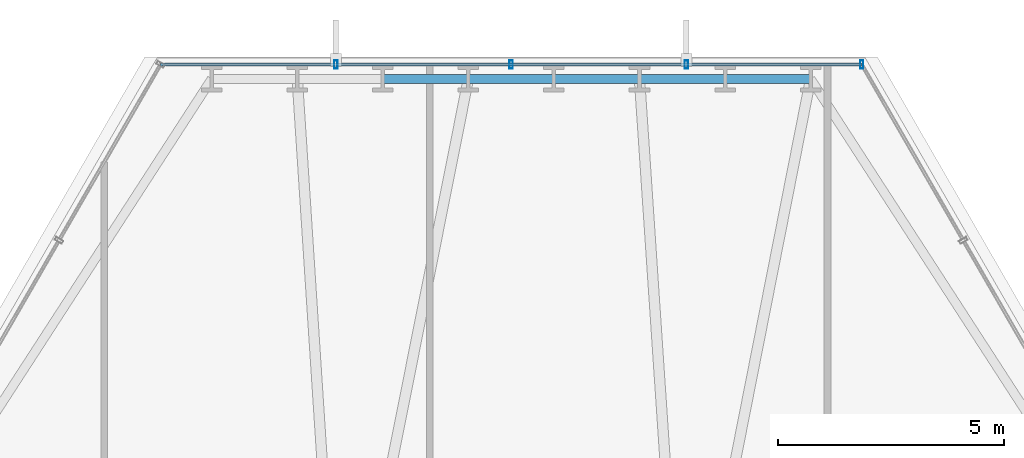
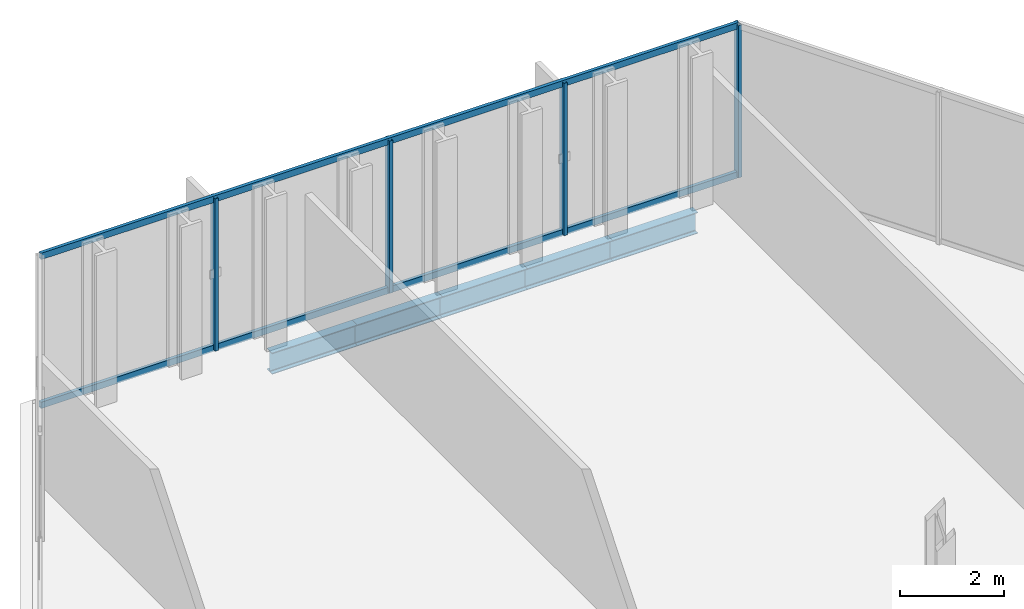
# One storey, part 23 of 32: 6 members, 5 beams, 1 element without a shape of its own.
"""IFC4 building model written with IfcOpenShell, lengths in metres."""

from ifc_helpers import new_model, si_unit, direction, frame, origin, origin_2d, place, context, subcontext, project, spatial, hollow_rectangle, i_section, extrude, material, layer, layer_set, material_profile, profile_set, type_object, element, aggregate, save


model = new_model("IFC4")

# Units and contexts
model_context = context("Model", 3, precision=1e-05, world=origin(), true_north=direction((0.0, 1.0)))
body_context = subcontext(model_context, "Body", "Model", "MODEL_VIEW")
ifc_project = project(units=[si_unit("LENGTHUNIT", "METRE"), si_unit("AREAUNIT", "SQUARE_METRE"), si_unit("VOLUMEUNIT", "CUBIC_METRE"), si_unit("PLANEANGLEUNIT", "RADIAN"), si_unit("MASSUNIT", "GRAM", prefix="KILO")], contexts=[model_context])

# Site, building, storey
site_placement = place(None, origin())
site = spatial("IfcSite", under=ifc_project, at=site_placement, CompositionType="ELEMENT")
building_placement = place(site_placement, origin())
building = spatial("IfcBuilding", under=site, at=building_placement, Name="Ndaravel Arena Tower", CompositionType="ELEMENT")
storey_placement = place(building_placement, frame((0.0, 0.0, 58.800048828125)))
storey = spatial("IfcBuildingStorey", under=building, at=storey_placement, Name="L12", CompositionType="ELEMENT", Elevation=58.800048828125)

# Beams
ifc_material_1 = material(Name="Steel S355", Category="steel")
ifc_material_profile_1 = material_profile(ifc_material_1, i_section(OverallWidth=0.199951171875, OverallDepth=0.5, WebThickness=0.01025390625, FlangeThickness=0.01611328125, FilletRadius=0.02099609375, at=origin_2d()), Name="IPE 500")
ifc_profile_set_1 = profile_set([ifc_material_profile_1], Name="Steel S355")
beam_type = type_object("IfcBeamType", Name="BM-SPAN-IPE500", PredefinedType="SPANDREL", material=ifc_profile_set_1)
for number, where, z_axis, x_axis, name in (
    (1, (48.625, 45.52783203125, -0.469970703125), (-1.0, 0.0, 0.0), (0.0, -1.0, 0.0), "L12 Perimeter Spandrel Beam SP-11"),
    (2, (46.732177734375, 45.52783203125, -0.469970703125), (-1.0, 0.0, 0.0), (0.0, -1.0, 0.0), "L12 Perimeter Spandrel Beam SP-12"),
):
    element("IfcBeam", number, at=place(storey_placement, frame(where, z_axis=z_axis, x_axis=x_axis)), inside=storey, type_object=beam_type, Name=name, PredefinedType="SPANDREL", context=body_context, shape_type="SweptSolid", body=[
        extrude(i_section(OverallWidth=0.199951171875, OverallDepth=0.5, WebThickness=0.01025390625, FlangeThickness=0.01611328125, FilletRadius=0.02099609375, at=origin_2d()), origin(), (0.0, 0.0, 1.0), 1.892822265625),
    ])
beam_1_placement = place(storey_placement, frame((44.83935546875, 45.52783203125, -0.469970703125), z_axis=(-1.0, 0.0, 0.0), x_axis=(0.0, -1.0, 0.0)))
element("IfcBeam", 3, at=beam_1_placement, inside=storey, type_object=beam_type, Name="L12 Perimeter Spandrel Beam SP-13", PredefinedType="SPANDREL", context=body_context, shape_type="SweptSolid", body=[
    extrude(i_section(OverallWidth=0.199951171875, OverallDepth=0.5, WebThickness=0.01025390625, FlangeThickness=0.01611328125, FilletRadius=0.02099609375, at=origin_2d()), origin(), (0.0, 0.0, 1.0), 1.89306640625),
])
beam_2_placement = place(storey_placement, frame((42.9462890625, 45.52783203125, -0.469970703125), z_axis=(-1.0, 0.0, 0.0), x_axis=(0.0, -1.0, 0.0)))
element("IfcBeam", 4, at=beam_2_placement, inside=storey, type_object=beam_type, Name="L12 Perimeter Spandrel Beam SP-14", PredefinedType="SPANDREL", context=body_context, shape_type="SweptSolid", body=[
    extrude(i_section(OverallWidth=0.199951171875, OverallDepth=0.5, WebThickness=0.01025390625, FlangeThickness=0.01611328125, FilletRadius=0.02099609375, at=origin_2d()), origin(), (0.0, 0.0, 1.0), 1.892578125),
])
beam_3_placement = place(storey_placement, frame((41.0537109375, 45.52783203125, -0.469970703125), z_axis=(-1.0, 0.0, 0.0), x_axis=(0.0, -1.0, 0.0)))
element("IfcBeam", 5, at=beam_3_placement, inside=storey, type_object=beam_type, Name="L12 Perimeter Spandrel Beam SP-15", PredefinedType="SPANDREL", context=body_context, shape_type="SweptSolid", body=[
    extrude(i_section(OverallWidth=0.199951171875, OverallDepth=0.5, WebThickness=0.01025390625, FlangeThickness=0.01611328125, FilletRadius=0.02099609375, at=origin_2d()), origin(), (0.0, 0.0, 1.0), 1.89306640625),
])

# Curtain wall, members
ifc_material_2 = material(Name="Aluminium", Category="aluminium")
ifc_layer = layer(ifc_material_2, 0.179931640625)
ifc_layer_set = layer_set([ifc_layer], Name="Aluminium")
curtain_wall_type = type_object("IfcCurtainWallType", Name="CW-SYS-01", PredefinedType="NOTDEFINED", material=ifc_layer_set)
curtain_wall_placement = place(storey_placement, origin())
curtain_wall = element("IfcCurtainWall", 6, at=curtain_wall_placement, inside=storey, type_object=curtain_wall_type, Name="L12 Faceted Crystal Curtain Wall CW-L12-E04", PredefinedType="NOTDEFINED")
ifc_material_3 = material(Name="Aluminium", Category="aluminium")
ifc_material_profile_2 = material_profile(ifc_material_3, hollow_rectangle(XDim=0.074951171875, YDim=0.179931640625, WallThickness=0.00390625, at=origin_2d()), Name="CW MULLION 75x180x4")
ifc_profile_set_2 = profile_set([ifc_material_profile_2], Name="Aluminium")
member_type_1 = type_object("IfcMemberType", Name="MEM-CW-MUL180", PredefinedType="MULLION", material=ifc_profile_set_2)
member_1_placement = place(storey_placement, frame((49.756103515625, 45.847900390625, 0.0), z_axis=(0.0, 0.0, 1.0), x_axis=(-1.0, 0.0, 0.0)))
member_1 = element("IfcMember", 7, at=member_1_placement, type_object=member_type_1, Name="CW-L12-E04 Mullion 00", PredefinedType="MULLION", context=body_context, shape_type="SweptSolid", body=[
    extrude(hollow_rectangle(XDim=0.074951171875, YDim=0.179931640625, WallThickness=0.00390625, at=origin_2d()), origin(), (0.0, 0.0, 1.0), 3.579833984375),
])
member_2_placement = place(storey_placement, frame((45.878173828125, 45.847900390625, 0.0), z_axis=(0.0, 0.0, 1.0), x_axis=(-1.0, 0.0, 0.0)))
member_2 = element("IfcMember", 8, at=member_2_placement, type_object=member_type_1, Name="CW-L12-E04 Mullion 01", PredefinedType="MULLION", context=body_context, shape_type="SweptSolid", body=[
    extrude(hollow_rectangle(XDim=0.074951171875, YDim=0.179931640625, WallThickness=0.00390625, at=origin_2d()), origin(), (0.0, 0.0, 1.0), 3.579833984375),
])
member_3_placement = place(storey_placement, frame((42.0, 45.847900390625, 0.0), z_axis=(0.0, 0.0, 1.0), x_axis=(-1.0, 0.0, 0.0)))
member_3 = element("IfcMember", 9, at=member_3_placement, type_object=member_type_1, Name="CW-L12-E04 Mullion 02", PredefinedType="MULLION", context=body_context, shape_type="SweptSolid", body=[
    extrude(hollow_rectangle(XDim=0.074951171875, YDim=0.179931640625, WallThickness=0.00390625, at=origin_2d()), origin(), (0.0, 0.0, 1.0), 3.579833984375),
])
member_4_placement = place(storey_placement, frame((38.121826171875, 45.847900390625, 0.0), z_axis=(0.0, 0.0, 1.0), x_axis=(-1.0, 0.0, 0.0)))
member_4 = element("IfcMember", 10, at=member_4_placement, type_object=member_type_1, Name="CW-L12-E04 Mullion 03", PredefinedType="MULLION", context=body_context, shape_type="SweptSolid", body=[
    extrude(hollow_rectangle(XDim=0.074951171875, YDim=0.179931640625, WallThickness=0.00390625, at=origin_2d()), origin(), (0.0, 0.0, 1.0), 3.579833984375),
])
ifc_material_4 = material(Name="Aluminium", Category="aluminium")
ifc_material_profile_3 = material_profile(ifc_material_4, hollow_rectangle(XDim=0.074951171875, YDim=0.14990234375, WallThickness=0.00390625, at=origin_2d()), Name="CW TRANSOM 75x150x4")
ifc_profile_set_3 = profile_set([ifc_material_profile_3], Name="Aluminium")
member_type_2 = type_object("IfcMemberType", Name="MEM-CW-TRN150", PredefinedType="USERDEFINED", material=ifc_profile_set_3)
member_5_placement = place(storey_placement, frame((49.756103515625, 45.847900390625, 0.0400390625), z_axis=(-1.0, 0.0, 0.0), x_axis=(0.0, -1.0, 0.0)))
member_5 = element("IfcMember", 11, at=member_5_placement, type_object=member_type_2, Name="CW-L12-E04 Transom 01", ObjectType="TRANSOM", PredefinedType="USERDEFINED", context=body_context, shape_type="SweptSolid", body=[
    extrude(hollow_rectangle(XDim=0.074951171875, YDim=0.14990234375, WallThickness=0.00390625, at=origin_2d()), origin(), (0.0, 0.0, 1.0), 15.51220703125),
])
member_6_placement = place(storey_placement, frame((49.756103515625, 45.847900390625, 3.5400390625), z_axis=(-1.0, 0.0, 0.0), x_axis=(0.0, -1.0, 0.0)))
member_6 = element("IfcMember", 12, at=member_6_placement, type_object=member_type_2, Name="CW-L12-E04 Transom 02", ObjectType="TRANSOM", PredefinedType="USERDEFINED", context=body_context, shape_type="SweptSolid", body=[
    extrude(hollow_rectangle(XDim=0.074951171875, YDim=0.14990234375, WallThickness=0.00390625, at=origin_2d()), origin(), (0.0, 0.0, 1.0), 15.51220703125),
])
aggregate(curtain_wall, [member_1, member_2, member_3, member_4, member_5, member_6])

save(model, "model.ifc")
